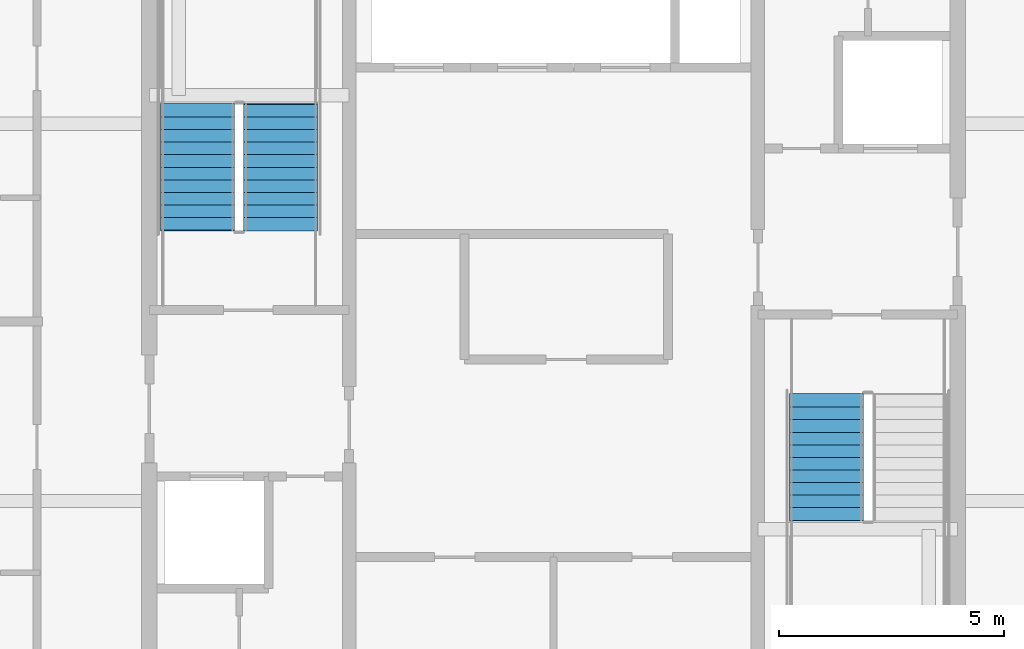
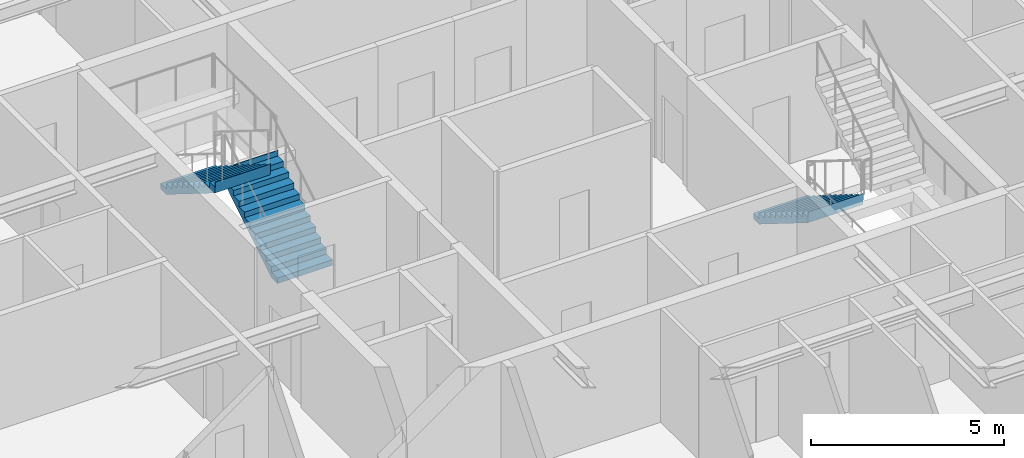
# One storey, part 31 of 37: 3 stair flights, 2 elements without a shape of their own.
"""IFC4 building model written with IfcOpenShell, lengths in metres."""

from ifc_helpers import new_model, si_unit, direction, frame, origin, place, context, subcontext, project, spatial, polygons, material, type_object, element, aggregate, save


model = new_model("IFC4")

# Units and contexts
model_context = context("Model", 3, precision=1e-05, world=origin(), true_north=direction((0.0, 1.0)))
body_context = subcontext(model_context, "Body", "Model", "MODEL_VIEW")
ifc_project = project(units=[si_unit("LENGTHUNIT", "METRE"), si_unit("AREAUNIT", "SQUARE_METRE"), si_unit("VOLUMEUNIT", "CUBIC_METRE"), si_unit("PLANEANGLEUNIT", "RADIAN"), si_unit("MASSUNIT", "GRAM", prefix="KILO")], contexts=[model_context])

# Site, building, storey
site_placement = place(None, origin())
site = spatial("IfcSite", under=ifc_project, at=site_placement, CompositionType="ELEMENT")
building_placement = place(site_placement, origin())
building = spatial("IfcBuilding", under=site, at=building_placement, Name="Serunith Strait Residences", CompositionType="ELEMENT")
storey_placement = place(building_placement, frame((0.0, 0.0, 275.89990234375)))
storey = spatial("IfcBuildingStorey", under=building, at=storey_placement, Name="L69", CompositionType="ELEMENT", Elevation=275.89990234375)

# Stair, stair flights
ifc_material = material(Name="Concrete C50/60", Category="concrete")
stair_type_1 = type_object("IfcStairType", Name="STR-CORE-1", PredefinedType="HALF_TURN_STAIR", material=ifc_material)
stair_1_placement = place(storey_placement, origin())
stair_1 = element("IfcStair", 1, at=stair_1_placement, inside=storey, type_object=stair_type_1, Name="L69 Protected Escape Stair ST-1", PredefinedType="HALF_TURN_STAIR")
stair_flight_type_1 = type_object("IfcStairFlightType", Name="FLT-CORE-1", PredefinedType="STRAIGHT", material=ifc_material)
stair_flight_1_placement = place(storey_placement, frame((26.324951171875, 27.030029296875, 0.0), z_axis=(0.0, 0.0, 1.0), x_axis=(0.0, 1.0, 0.0)))
stair_flight_1 = element("IfcStairFlight", 2, at=stair_flight_1_placement, type_object=stair_flight_type_1, Name="ST-1 flight 1", NumberOfRisers=11, NumberOfTreads=10, PredefinedType="STRAIGHT", RiserHeight=0.175, TreadLength=0.28, context=body_context, shape_type="Tessellation", body=[
    polygons([(-0.02001953125, -0.824951171875, 0.0), (-0.02001953125, -0.824951171875, 0.175048828125), (0.280029296875, -0.824951171875, 0.175048828125), (0.280029296875, -0.824951171875, 0.35009765625), (0.56005859375, -0.824951171875, 0.35009765625), (0.56005859375, -0.824951171875, 0.52490234375), (0.840087890625, -0.824951171875, 0.52490234375), (0.840087890625, -0.824951171875, 0.699951171875), (1.1201171875, -0.824951171875, 0.699951171875), (1.1201171875, -0.824951171875, 0.875), (1.39990234375, -0.824951171875, 0.875), (1.39990234375, -0.824951171875, 1.050048828125), (1.679931640625, -0.824951171875, 1.050048828125), (1.679931640625, -0.824951171875, 1.22509765625), (1.9599609375, -0.824951171875, 1.22509765625), (1.9599609375, -0.824951171875, 1.39990234375), (2.239990234375, -0.824951171875, 1.39990234375), (2.239990234375, -0.824951171875, 1.574951171875), (2.52001953125, -0.824951171875, 1.574951171875), (2.52001953125, -0.824951171875, 1.75), (2.800048828125, -0.824951171875, 1.75), (2.800048828125, -0.824951171875, 1.925048828125), (2.820068359375, -0.824951171875, 1.925048828125), (2.820068359375, -0.824951171875, 1.864990234375), (2.800048828125, -0.824951171875, 1.5732421875), (0.28271484375, -0.824951171875, 0.0), (-0.02001953125, -0.41259765625, 0.0), (-0.02001953125, -0.41259765625, 0.175048828125), (0.280029296875, -0.41259765625, 0.175048828125), (0.280029296875, -0.41259765625, 0.35009765625), (0.56005859375, -0.41259765625, 0.35009765625), (0.56005859375, -0.41259765625, 0.52490234375), (0.840087890625, -0.41259765625, 0.52490234375), (0.840087890625, -0.41259765625, 0.699951171875), (1.1201171875, -0.41259765625, 0.699951171875), (1.1201171875, -0.41259765625, 0.875), (1.39990234375, -0.41259765625, 0.875), (1.39990234375, -0.41259765625, 1.050048828125), (1.679931640625, -0.41259765625, 1.050048828125), (1.679931640625, -0.41259765625, 1.22509765625), (1.9599609375, -0.41259765625, 1.22509765625), (1.9599609375, -0.41259765625, 1.39990234375), (2.239990234375, -0.41259765625, 1.39990234375), (2.239990234375, -0.41259765625, 1.574951171875), (2.52001953125, -0.41259765625, 1.574951171875), (2.52001953125, -0.41259765625, 1.75), (2.800048828125, -0.41259765625, 1.75), (2.800048828125, -0.41259765625, 1.925048828125), (2.820068359375, -0.41259765625, 1.925048828125), (2.820068359375, -0.41259765625, 1.864990234375), (2.800048828125, -0.41259765625, 1.5732421875), (0.28271484375, -0.41259765625, 0.0), (-0.02001953125, 0.0, 0.0), (-0.02001953125, 0.0, 0.175048828125), (0.280029296875, 0.0, 0.175048828125), (0.280029296875, 0.0, 0.35009765625), (0.56005859375, 0.0, 0.35009765625), (0.56005859375, 0.0, 0.52490234375), (0.840087890625, 0.0, 0.52490234375), (0.840087890625, 0.0, 0.699951171875), (1.1201171875, 0.0, 0.699951171875), (1.1201171875, 0.0, 0.875), (1.39990234375, 0.0, 0.875), (1.39990234375, 0.0, 1.050048828125), (1.679931640625, 0.0, 1.050048828125), (1.679931640625, 0.0, 1.22509765625), (1.9599609375, 0.0, 1.22509765625), (1.9599609375, 0.0, 1.39990234375), (2.239990234375, 0.0, 1.39990234375), (2.239990234375, 0.0, 1.574951171875), (2.52001953125, 0.0, 1.574951171875), (2.52001953125, 0.0, 1.75), (2.800048828125, 0.0, 1.75), (2.800048828125, 0.0, 1.925048828125), (2.820068359375, 0.0, 1.925048828125), (2.820068359375, 0.0, 1.864990234375), (2.800048828125, 0.0, 1.5732421875), (0.28271484375, 0.0, 0.0), (-0.02001953125, 0.41259765625, 0.0), (-0.02001953125, 0.41259765625, 0.175048828125), (0.280029296875, 0.41259765625, 0.175048828125), (0.280029296875, 0.41259765625, 0.35009765625), (0.56005859375, 0.41259765625, 0.35009765625), (0.56005859375, 0.41259765625, 0.52490234375), (0.840087890625, 0.41259765625, 0.52490234375), (0.840087890625, 0.41259765625, 0.699951171875), (1.1201171875, 0.41259765625, 0.699951171875), (1.1201171875, 0.41259765625, 0.875), (1.39990234375, 0.41259765625, 0.875), (1.39990234375, 0.41259765625, 1.050048828125), (1.679931640625, 0.41259765625, 1.050048828125), (1.679931640625, 0.41259765625, 1.22509765625), (1.9599609375, 0.41259765625, 1.22509765625), (1.9599609375, 0.41259765625, 1.39990234375), (2.239990234375, 0.41259765625, 1.39990234375), (2.239990234375, 0.41259765625, 1.574951171875), (2.52001953125, 0.41259765625, 1.574951171875), (2.52001953125, 0.41259765625, 1.75), (2.800048828125, 0.41259765625, 1.75), (2.800048828125, 0.41259765625, 1.925048828125), (2.820068359375, 0.41259765625, 1.925048828125), (2.820068359375, 0.41259765625, 1.864990234375), (2.800048828125, 0.41259765625, 1.5732421875), (0.28271484375, 0.41259765625, 0.0), (-0.02001953125, 0.824951171875, 0.0), (-0.02001953125, 0.824951171875, 0.175048828125), (0.280029296875, 0.824951171875, 0.175048828125), (0.280029296875, 0.824951171875, 0.35009765625), (0.56005859375, 0.824951171875, 0.35009765625), (0.56005859375, 0.824951171875, 0.52490234375), (0.840087890625, 0.824951171875, 0.52490234375), (0.840087890625, 0.824951171875, 0.699951171875), (1.1201171875, 0.824951171875, 0.699951171875), (1.1201171875, 0.824951171875, 0.875), (1.39990234375, 0.824951171875, 0.875), (1.39990234375, 0.824951171875, 1.050048828125), (1.679931640625, 0.824951171875, 1.050048828125), (1.679931640625, 0.824951171875, 1.22509765625), (1.9599609375, 0.824951171875, 1.22509765625), (1.9599609375, 0.824951171875, 1.39990234375), (2.239990234375, 0.824951171875, 1.39990234375), (2.239990234375, 0.824951171875, 1.574951171875), (2.52001953125, 0.824951171875, 1.574951171875), (2.52001953125, 0.824951171875, 1.75), (2.800048828125, 0.824951171875, 1.75), (2.800048828125, 0.824951171875, 1.925048828125), (2.820068359375, 0.824951171875, 1.925048828125), (2.820068359375, 0.824951171875, 1.864990234375), (2.800048828125, 0.824951171875, 1.5732421875), (0.28271484375, 0.824951171875, 0.0)], [[[1, 2, 28, 27]], [[2, 3, 29, 28]], [[3, 4, 30, 29]], [[4, 5, 31, 30]], [[5, 6, 32, 31]], [[6, 7, 33, 32]], [[7, 8, 34, 33]], [[8, 9, 35, 34]], [[9, 10, 36, 35]], [[10, 11, 37, 36]], [[11, 12, 38, 37]], [[12, 13, 39, 38]], [[13, 14, 40, 39]], [[14, 15, 41, 40]], [[15, 16, 42, 41]], [[16, 17, 43, 42]], [[17, 18, 44, 43]], [[18, 19, 45, 44]], [[19, 20, 46, 45]], [[20, 21, 47, 46]], [[21, 22, 48, 47]], [[22, 23, 49, 48]], [[23, 24, 50, 49]], [[24, 25, 51, 50]], [[25, 26, 52, 51]], [[26, 1, 27, 52]], [[27, 28, 54, 53]], [[28, 29, 55, 54]], [[29, 30, 56, 55]], [[30, 31, 57, 56]], [[31, 32, 58, 57]], [[32, 33, 59, 58]], [[33, 34, 60, 59]], [[34, 35, 61, 60]], [[35, 36, 62, 61]], [[36, 37, 63, 62]], [[37, 38, 64, 63]], [[38, 39, 65, 64]], [[39, 40, 66, 65]], [[40, 41, 67, 66]], [[41, 42, 68, 67]], [[42, 43, 69, 68]], [[43, 44, 70, 69]], [[44, 45, 71, 70]], [[45, 46, 72, 71]], [[46, 47, 73, 72]], [[47, 48, 74, 73]], [[48, 49, 75, 74]], [[49, 50, 76, 75]], [[50, 51, 77, 76]], [[51, 52, 78, 77]], [[52, 27, 53, 78]], [[53, 54, 80, 79]], [[54, 55, 81, 80]], [[55, 56, 82, 81]], [[56, 57, 83, 82]], [[57, 58, 84, 83]], [[58, 59, 85, 84]], [[59, 60, 86, 85]], [[60, 61, 87, 86]], [[61, 62, 88, 87]], [[62, 63, 89, 88]], [[63, 64, 90, 89]], [[64, 65, 91, 90]], [[65, 66, 92, 91]], [[66, 67, 93, 92]], [[67, 68, 94, 93]], [[68, 69, 95, 94]], [[69, 70, 96, 95]], [[70, 71, 97, 96]], [[71, 72, 98, 97]], [[72, 73, 99, 98]], [[73, 74, 100, 99]], [[74, 75, 101, 100]], [[75, 76, 102, 101]], [[76, 77, 103, 102]], [[77, 78, 104, 103]], [[78, 53, 79, 104]], [[79, 80, 106, 105]], [[80, 81, 107, 106]], [[81, 82, 108, 107]], [[82, 83, 109, 108]], [[83, 84, 110, 109]], [[84, 85, 111, 110]], [[85, 86, 112, 111]], [[86, 87, 113, 112]], [[87, 88, 114, 113]], [[88, 89, 115, 114]], [[89, 90, 116, 115]], [[90, 91, 117, 116]], [[91, 92, 118, 117]], [[92, 93, 119, 118]], [[93, 94, 120, 119]], [[94, 95, 121, 120]], [[95, 96, 122, 121]], [[96, 97, 123, 122]], [[97, 98, 124, 123]], [[98, 99, 125, 124]], [[99, 100, 126, 125]], [[100, 101, 127, 126]], [[101, 102, 128, 127]], [[102, 103, 129, 128]], [[103, 104, 130, 129]], [[104, 79, 105, 130]], [[26, 25, 24, 23, 22, 21, 20, 19, 18, 17, 16, 15, 14, 13, 12, 11, 10, 9, 8, 7, 6, 5, 4, 3, 2, 1]], [[105, 106, 107, 108, 109, 110, 111, 112, 113, 114, 115, 116, 117, 118, 119, 120, 121, 122, 123, 124, 125, 126, 127, 128, 129, 130]]], closed=True),
])
stair_flight_2_placement = place(storey_placement, frame((24.47509765625, 29.830078125, 1.925048828125), z_axis=(0.0, 0.0, 1.0), x_axis=(0.0, -1.0, 0.0)))
stair_flight_2 = element("IfcStairFlight", 3, at=stair_flight_2_placement, type_object=stair_flight_type_1, Name="ST-1 flight 2", NumberOfRisers=11, NumberOfTreads=10, PredefinedType="STRAIGHT", RiserHeight=0.175, TreadLength=0.28, context=body_context, shape_type="Tessellation", body=[
    polygons([(-0.02001953125, -0.824951171875, 0.0), (-0.02001953125, -0.824951171875, 0.175048828125), (0.280029296875, -0.824951171875, 0.175048828125), (0.280029296875, -0.824951171875, 0.35009765625), (0.56005859375, -0.824951171875, 0.35009765625), (0.56005859375, -0.824951171875, 0.52490234375), (0.840087890625, -0.824951171875, 0.52490234375), (0.840087890625, -0.824951171875, 0.699951171875), (1.1201171875, -0.824951171875, 0.699951171875), (1.1201171875, -0.824951171875, 0.875), (1.39990234375, -0.824951171875, 0.875), (1.39990234375, -0.824951171875, 1.050048828125), (1.679931640625, -0.824951171875, 1.050048828125), (1.679931640625, -0.824951171875, 1.22509765625), (1.9599609375, -0.824951171875, 1.22509765625), (1.9599609375, -0.824951171875, 1.39990234375), (2.239990234375, -0.824951171875, 1.39990234375), (2.239990234375, -0.824951171875, 1.574951171875), (2.52001953125, -0.824951171875, 1.574951171875), (2.52001953125, -0.824951171875, 1.75), (2.800048828125, -0.824951171875, 1.75), (2.800048828125, -0.824951171875, 1.925048828125), (2.820068359375, -0.824951171875, 1.925048828125), (2.820068359375, -0.824951171875, 1.864990234375), (2.800048828125, -0.824951171875, 1.5732421875), (0.28271484375, -0.824951171875, 0.0), (-0.02001953125, -0.41259765625, 0.0), (-0.02001953125, -0.41259765625, 0.175048828125), (0.280029296875, -0.41259765625, 0.175048828125), (0.280029296875, -0.41259765625, 0.35009765625), (0.56005859375, -0.41259765625, 0.35009765625), (0.56005859375, -0.41259765625, 0.52490234375), (0.840087890625, -0.41259765625, 0.52490234375), (0.840087890625, -0.41259765625, 0.699951171875), (1.1201171875, -0.41259765625, 0.699951171875), (1.1201171875, -0.41259765625, 0.875), (1.39990234375, -0.41259765625, 0.875), (1.39990234375, -0.41259765625, 1.050048828125), (1.679931640625, -0.41259765625, 1.050048828125), (1.679931640625, -0.41259765625, 1.22509765625), (1.9599609375, -0.41259765625, 1.22509765625), (1.9599609375, -0.41259765625, 1.39990234375), (2.239990234375, -0.41259765625, 1.39990234375), (2.239990234375, -0.41259765625, 1.574951171875), (2.52001953125, -0.41259765625, 1.574951171875), (2.52001953125, -0.41259765625, 1.75), (2.800048828125, -0.41259765625, 1.75), (2.800048828125, -0.41259765625, 1.925048828125), (2.820068359375, -0.41259765625, 1.925048828125), (2.820068359375, -0.41259765625, 1.864990234375), (2.800048828125, -0.41259765625, 1.5732421875), (0.28271484375, -0.41259765625, 0.0), (-0.02001953125, 0.0, 0.0), (-0.02001953125, 0.0, 0.175048828125), (0.280029296875, 0.0, 0.175048828125), (0.280029296875, 0.0, 0.35009765625), (0.56005859375, 0.0, 0.35009765625), (0.56005859375, 0.0, 0.52490234375), (0.840087890625, 0.0, 0.52490234375), (0.840087890625, 0.0, 0.699951171875), (1.1201171875, 0.0, 0.699951171875), (1.1201171875, 0.0, 0.875), (1.39990234375, 0.0, 0.875), (1.39990234375, 0.0, 1.050048828125), (1.679931640625, 0.0, 1.050048828125), (1.679931640625, 0.0, 1.22509765625), (1.9599609375, 0.0, 1.22509765625), (1.9599609375, 0.0, 1.39990234375), (2.239990234375, 0.0, 1.39990234375), (2.239990234375, 0.0, 1.574951171875), (2.52001953125, 0.0, 1.574951171875), (2.52001953125, 0.0, 1.75), (2.800048828125, 0.0, 1.75), (2.800048828125, 0.0, 1.925048828125), (2.820068359375, 0.0, 1.925048828125), (2.820068359375, 0.0, 1.864990234375), (2.800048828125, 0.0, 1.5732421875), (0.28271484375, 0.0, 0.0), (-0.02001953125, 0.41259765625, 0.0), (-0.02001953125, 0.41259765625, 0.175048828125), (0.280029296875, 0.41259765625, 0.175048828125), (0.280029296875, 0.41259765625, 0.35009765625), (0.56005859375, 0.41259765625, 0.35009765625), (0.56005859375, 0.41259765625, 0.52490234375), (0.840087890625, 0.41259765625, 0.52490234375), (0.840087890625, 0.41259765625, 0.699951171875), (1.1201171875, 0.41259765625, 0.699951171875), (1.1201171875, 0.41259765625, 0.875), (1.39990234375, 0.41259765625, 0.875), (1.39990234375, 0.41259765625, 1.050048828125), (1.679931640625, 0.41259765625, 1.050048828125), (1.679931640625, 0.41259765625, 1.22509765625), (1.9599609375, 0.41259765625, 1.22509765625), (1.9599609375, 0.41259765625, 1.39990234375), (2.239990234375, 0.41259765625, 1.39990234375), (2.239990234375, 0.41259765625, 1.574951171875), (2.52001953125, 0.41259765625, 1.574951171875), (2.52001953125, 0.41259765625, 1.75), (2.800048828125, 0.41259765625, 1.75), (2.800048828125, 0.41259765625, 1.925048828125), (2.820068359375, 0.41259765625, 1.925048828125), (2.820068359375, 0.41259765625, 1.864990234375), (2.800048828125, 0.41259765625, 1.5732421875), (0.28271484375, 0.41259765625, 0.0), (-0.02001953125, 0.824951171875, 0.0), (-0.02001953125, 0.824951171875, 0.175048828125), (0.280029296875, 0.824951171875, 0.175048828125), (0.280029296875, 0.824951171875, 0.35009765625), (0.56005859375, 0.824951171875, 0.35009765625), (0.56005859375, 0.824951171875, 0.52490234375), (0.840087890625, 0.824951171875, 0.52490234375), (0.840087890625, 0.824951171875, 0.699951171875), (1.1201171875, 0.824951171875, 0.699951171875), (1.1201171875, 0.824951171875, 0.875), (1.39990234375, 0.824951171875, 0.875), (1.39990234375, 0.824951171875, 1.050048828125), (1.679931640625, 0.824951171875, 1.050048828125), (1.679931640625, 0.824951171875, 1.22509765625), (1.9599609375, 0.824951171875, 1.22509765625), (1.9599609375, 0.824951171875, 1.39990234375), (2.239990234375, 0.824951171875, 1.39990234375), (2.239990234375, 0.824951171875, 1.574951171875), (2.52001953125, 0.824951171875, 1.574951171875), (2.52001953125, 0.824951171875, 1.75), (2.800048828125, 0.824951171875, 1.75), (2.800048828125, 0.824951171875, 1.925048828125), (2.820068359375, 0.824951171875, 1.925048828125), (2.820068359375, 0.824951171875, 1.864990234375), (2.800048828125, 0.824951171875, 1.5732421875), (0.28271484375, 0.824951171875, 0.0)], [[[1, 2, 28, 27]], [[2, 3, 29, 28]], [[3, 4, 30, 29]], [[4, 5, 31, 30]], [[5, 6, 32, 31]], [[6, 7, 33, 32]], [[7, 8, 34, 33]], [[8, 9, 35, 34]], [[9, 10, 36, 35]], [[10, 11, 37, 36]], [[11, 12, 38, 37]], [[12, 13, 39, 38]], [[13, 14, 40, 39]], [[14, 15, 41, 40]], [[15, 16, 42, 41]], [[16, 17, 43, 42]], [[17, 18, 44, 43]], [[18, 19, 45, 44]], [[19, 20, 46, 45]], [[20, 21, 47, 46]], [[21, 22, 48, 47]], [[22, 23, 49, 48]], [[23, 24, 50, 49]], [[24, 25, 51, 50]], [[25, 26, 52, 51]], [[26, 1, 27, 52]], [[27, 28, 54, 53]], [[28, 29, 55, 54]], [[29, 30, 56, 55]], [[30, 31, 57, 56]], [[31, 32, 58, 57]], [[32, 33, 59, 58]], [[33, 34, 60, 59]], [[34, 35, 61, 60]], [[35, 36, 62, 61]], [[36, 37, 63, 62]], [[37, 38, 64, 63]], [[38, 39, 65, 64]], [[39, 40, 66, 65]], [[40, 41, 67, 66]], [[41, 42, 68, 67]], [[42, 43, 69, 68]], [[43, 44, 70, 69]], [[44, 45, 71, 70]], [[45, 46, 72, 71]], [[46, 47, 73, 72]], [[47, 48, 74, 73]], [[48, 49, 75, 74]], [[49, 50, 76, 75]], [[50, 51, 77, 76]], [[51, 52, 78, 77]], [[52, 27, 53, 78]], [[53, 54, 80, 79]], [[54, 55, 81, 80]], [[55, 56, 82, 81]], [[56, 57, 83, 82]], [[57, 58, 84, 83]], [[58, 59, 85, 84]], [[59, 60, 86, 85]], [[60, 61, 87, 86]], [[61, 62, 88, 87]], [[62, 63, 89, 88]], [[63, 64, 90, 89]], [[64, 65, 91, 90]], [[65, 66, 92, 91]], [[66, 67, 93, 92]], [[67, 68, 94, 93]], [[68, 69, 95, 94]], [[69, 70, 96, 95]], [[70, 71, 97, 96]], [[71, 72, 98, 97]], [[72, 73, 99, 98]], [[73, 74, 100, 99]], [[74, 75, 101, 100]], [[75, 76, 102, 101]], [[76, 77, 103, 102]], [[77, 78, 104, 103]], [[78, 53, 79, 104]], [[79, 80, 106, 105]], [[80, 81, 107, 106]], [[81, 82, 108, 107]], [[82, 83, 109, 108]], [[83, 84, 110, 109]], [[84, 85, 111, 110]], [[85, 86, 112, 111]], [[86, 87, 113, 112]], [[87, 88, 114, 113]], [[88, 89, 115, 114]], [[89, 90, 116, 115]], [[90, 91, 117, 116]], [[91, 92, 118, 117]], [[92, 93, 119, 118]], [[93, 94, 120, 119]], [[94, 95, 121, 120]], [[95, 96, 122, 121]], [[96, 97, 123, 122]], [[97, 98, 124, 123]], [[98, 99, 125, 124]], [[99, 100, 126, 125]], [[100, 101, 127, 126]], [[101, 102, 128, 127]], [[102, 103, 129, 128]], [[103, 104, 130, 129]], [[104, 79, 105, 130]], [[26, 25, 24, 23, 22, 21, 20, 19, 18, 17, 16, 15, 14, 13, 12, 11, 10, 9, 8, 7, 6, 5, 4, 3, 2, 1]], [[105, 106, 107, 108, 109, 110, 111, 112, 113, 114, 115, 116, 117, 118, 119, 120, 121, 122, 123, 124, 125, 126, 127, 128, 129, 130]]], closed=True),
])
aggregate(stair_1, [stair_flight_1, stair_flight_2])

# Stair, stair flight
stair_type_2 = type_object("IfcStairType", Name="STR-CORE-2", PredefinedType="HALF_TURN_STAIR", material=ifc_material)
stair_2_placement = place(storey_placement, origin())
stair_2 = element("IfcStair", 4, at=stair_2_placement, inside=storey, type_object=stair_type_2, Name="L69 Protected Escape Stair ST-2", PredefinedType="HALF_TURN_STAIR")
stair_flight_type_2 = type_object("IfcStairFlightType", Name="FLT-CORE-2", PredefinedType="STRAIGHT", material=ifc_material)
stair_flight_3_placement = place(storey_placement, frame((38.47509765625, 23.3701171875, 0.0), z_axis=(0.0, 0.0, 1.0), x_axis=(0.0, -1.0, 0.0)))
stair_flight_3 = element("IfcStairFlight", 5, at=stair_flight_3_placement, type_object=stair_flight_type_2, Name="ST-2 flight 1", NumberOfRisers=11, NumberOfTreads=10, PredefinedType="STRAIGHT", RiserHeight=0.175, TreadLength=0.28, context=body_context, shape_type="Tessellation", body=[
    polygons([(-0.02001953125, -0.824951171875, 0.0), (-0.02001953125, -0.824951171875, 0.175048828125), (0.280029296875, -0.824951171875, 0.175048828125), (0.280029296875, -0.824951171875, 0.35009765625), (0.56005859375, -0.824951171875, 0.35009765625), (0.56005859375, -0.824951171875, 0.52490234375), (0.840087890625, -0.824951171875, 0.52490234375), (0.840087890625, -0.824951171875, 0.699951171875), (1.1201171875, -0.824951171875, 0.699951171875), (1.1201171875, -0.824951171875, 0.875), (1.39990234375, -0.824951171875, 0.875), (1.39990234375, -0.824951171875, 1.050048828125), (1.679931640625, -0.824951171875, 1.050048828125), (1.679931640625, -0.824951171875, 1.22509765625), (1.9599609375, -0.824951171875, 1.22509765625), (1.9599609375, -0.824951171875, 1.39990234375), (2.239990234375, -0.824951171875, 1.39990234375), (2.239990234375, -0.824951171875, 1.574951171875), (2.52001953125, -0.824951171875, 1.574951171875), (2.52001953125, -0.824951171875, 1.75), (2.800048828125, -0.824951171875, 1.75), (2.800048828125, -0.824951171875, 1.925048828125), (2.820068359375, -0.824951171875, 1.925048828125), (2.820068359375, -0.824951171875, 1.864990234375), (2.800048828125, -0.824951171875, 1.5732421875), (0.28271484375, -0.824951171875, 0.0), (-0.02001953125, -0.41259765625, 0.0), (-0.02001953125, -0.41259765625, 0.175048828125), (0.280029296875, -0.41259765625, 0.175048828125), (0.280029296875, -0.41259765625, 0.35009765625), (0.56005859375, -0.41259765625, 0.35009765625), (0.56005859375, -0.41259765625, 0.52490234375), (0.840087890625, -0.41259765625, 0.52490234375), (0.840087890625, -0.41259765625, 0.699951171875), (1.1201171875, -0.41259765625, 0.699951171875), (1.1201171875, -0.41259765625, 0.875), (1.39990234375, -0.41259765625, 0.875), (1.39990234375, -0.41259765625, 1.050048828125), (1.679931640625, -0.41259765625, 1.050048828125), (1.679931640625, -0.41259765625, 1.22509765625), (1.9599609375, -0.41259765625, 1.22509765625), (1.9599609375, -0.41259765625, 1.39990234375), (2.239990234375, -0.41259765625, 1.39990234375), (2.239990234375, -0.41259765625, 1.574951171875), (2.52001953125, -0.41259765625, 1.574951171875), (2.52001953125, -0.41259765625, 1.75), (2.800048828125, -0.41259765625, 1.75), (2.800048828125, -0.41259765625, 1.925048828125), (2.820068359375, -0.41259765625, 1.925048828125), (2.820068359375, -0.41259765625, 1.864990234375), (2.800048828125, -0.41259765625, 1.5732421875), (0.28271484375, -0.41259765625, 0.0), (-0.02001953125, 0.0, 0.0), (-0.02001953125, 0.0, 0.175048828125), (0.280029296875, 0.0, 0.175048828125), (0.280029296875, 0.0, 0.35009765625), (0.56005859375, 0.0, 0.35009765625), (0.56005859375, 0.0, 0.52490234375), (0.840087890625, 0.0, 0.52490234375), (0.840087890625, 0.0, 0.699951171875), (1.1201171875, 0.0, 0.699951171875), (1.1201171875, 0.0, 0.875), (1.39990234375, 0.0, 0.875), (1.39990234375, 0.0, 1.050048828125), (1.679931640625, 0.0, 1.050048828125), (1.679931640625, 0.0, 1.22509765625), (1.9599609375, 0.0, 1.22509765625), (1.9599609375, 0.0, 1.39990234375), (2.239990234375, 0.0, 1.39990234375), (2.239990234375, 0.0, 1.574951171875), (2.52001953125, 0.0, 1.574951171875), (2.52001953125, 0.0, 1.75), (2.800048828125, 0.0, 1.75), (2.800048828125, 0.0, 1.925048828125), (2.820068359375, 0.0, 1.925048828125), (2.820068359375, 0.0, 1.864990234375), (2.800048828125, 0.0, 1.5732421875), (0.28271484375, 0.0, 0.0), (-0.02001953125, 0.41259765625, 0.0), (-0.02001953125, 0.41259765625, 0.175048828125), (0.280029296875, 0.41259765625, 0.175048828125), (0.280029296875, 0.41259765625, 0.35009765625), (0.56005859375, 0.41259765625, 0.35009765625), (0.56005859375, 0.41259765625, 0.52490234375), (0.840087890625, 0.41259765625, 0.52490234375), (0.840087890625, 0.41259765625, 0.699951171875), (1.1201171875, 0.41259765625, 0.699951171875), (1.1201171875, 0.41259765625, 0.875), (1.39990234375, 0.41259765625, 0.875), (1.39990234375, 0.41259765625, 1.050048828125), (1.679931640625, 0.41259765625, 1.050048828125), (1.679931640625, 0.41259765625, 1.22509765625), (1.9599609375, 0.41259765625, 1.22509765625), (1.9599609375, 0.41259765625, 1.39990234375), (2.239990234375, 0.41259765625, 1.39990234375), (2.239990234375, 0.41259765625, 1.574951171875), (2.52001953125, 0.41259765625, 1.574951171875), (2.52001953125, 0.41259765625, 1.75), (2.800048828125, 0.41259765625, 1.75), (2.800048828125, 0.41259765625, 1.925048828125), (2.820068359375, 0.41259765625, 1.925048828125), (2.820068359375, 0.41259765625, 1.864990234375), (2.800048828125, 0.41259765625, 1.5732421875), (0.28271484375, 0.41259765625, 0.0), (-0.02001953125, 0.824951171875, 0.0), (-0.02001953125, 0.824951171875, 0.175048828125), (0.280029296875, 0.824951171875, 0.175048828125), (0.280029296875, 0.824951171875, 0.35009765625), (0.56005859375, 0.824951171875, 0.35009765625), (0.56005859375, 0.824951171875, 0.52490234375), (0.840087890625, 0.824951171875, 0.52490234375), (0.840087890625, 0.824951171875, 0.699951171875), (1.1201171875, 0.824951171875, 0.699951171875), (1.1201171875, 0.824951171875, 0.875), (1.39990234375, 0.824951171875, 0.875), (1.39990234375, 0.824951171875, 1.050048828125), (1.679931640625, 0.824951171875, 1.050048828125), (1.679931640625, 0.824951171875, 1.22509765625), (1.9599609375, 0.824951171875, 1.22509765625), (1.9599609375, 0.824951171875, 1.39990234375), (2.239990234375, 0.824951171875, 1.39990234375), (2.239990234375, 0.824951171875, 1.574951171875), (2.52001953125, 0.824951171875, 1.574951171875), (2.52001953125, 0.824951171875, 1.75), (2.800048828125, 0.824951171875, 1.75), (2.800048828125, 0.824951171875, 1.925048828125), (2.820068359375, 0.824951171875, 1.925048828125), (2.820068359375, 0.824951171875, 1.864990234375), (2.800048828125, 0.824951171875, 1.5732421875), (0.28271484375, 0.824951171875, 0.0)], [[[1, 2, 28, 27]], [[2, 3, 29, 28]], [[3, 4, 30, 29]], [[4, 5, 31, 30]], [[5, 6, 32, 31]], [[6, 7, 33, 32]], [[7, 8, 34, 33]], [[8, 9, 35, 34]], [[9, 10, 36, 35]], [[10, 11, 37, 36]], [[11, 12, 38, 37]], [[12, 13, 39, 38]], [[13, 14, 40, 39]], [[14, 15, 41, 40]], [[15, 16, 42, 41]], [[16, 17, 43, 42]], [[17, 18, 44, 43]], [[18, 19, 45, 44]], [[19, 20, 46, 45]], [[20, 21, 47, 46]], [[21, 22, 48, 47]], [[22, 23, 49, 48]], [[23, 24, 50, 49]], [[24, 25, 51, 50]], [[25, 26, 52, 51]], [[26, 1, 27, 52]], [[27, 28, 54, 53]], [[28, 29, 55, 54]], [[29, 30, 56, 55]], [[30, 31, 57, 56]], [[31, 32, 58, 57]], [[32, 33, 59, 58]], [[33, 34, 60, 59]], [[34, 35, 61, 60]], [[35, 36, 62, 61]], [[36, 37, 63, 62]], [[37, 38, 64, 63]], [[38, 39, 65, 64]], [[39, 40, 66, 65]], [[40, 41, 67, 66]], [[41, 42, 68, 67]], [[42, 43, 69, 68]], [[43, 44, 70, 69]], [[44, 45, 71, 70]], [[45, 46, 72, 71]], [[46, 47, 73, 72]], [[47, 48, 74, 73]], [[48, 49, 75, 74]], [[49, 50, 76, 75]], [[50, 51, 77, 76]], [[51, 52, 78, 77]], [[52, 27, 53, 78]], [[53, 54, 80, 79]], [[54, 55, 81, 80]], [[55, 56, 82, 81]], [[56, 57, 83, 82]], [[57, 58, 84, 83]], [[58, 59, 85, 84]], [[59, 60, 86, 85]], [[60, 61, 87, 86]], [[61, 62, 88, 87]], [[62, 63, 89, 88]], [[63, 64, 90, 89]], [[64, 65, 91, 90]], [[65, 66, 92, 91]], [[66, 67, 93, 92]], [[67, 68, 94, 93]], [[68, 69, 95, 94]], [[69, 70, 96, 95]], [[70, 71, 97, 96]], [[71, 72, 98, 97]], [[72, 73, 99, 98]], [[73, 74, 100, 99]], [[74, 75, 101, 100]], [[75, 76, 102, 101]], [[76, 77, 103, 102]], [[77, 78, 104, 103]], [[78, 53, 79, 104]], [[79, 80, 106, 105]], [[80, 81, 107, 106]], [[81, 82, 108, 107]], [[82, 83, 109, 108]], [[83, 84, 110, 109]], [[84, 85, 111, 110]], [[85, 86, 112, 111]], [[86, 87, 113, 112]], [[87, 88, 114, 113]], [[88, 89, 115, 114]], [[89, 90, 116, 115]], [[90, 91, 117, 116]], [[91, 92, 118, 117]], [[92, 93, 119, 118]], [[93, 94, 120, 119]], [[94, 95, 121, 120]], [[95, 96, 122, 121]], [[96, 97, 123, 122]], [[97, 98, 124, 123]], [[98, 99, 125, 124]], [[99, 100, 126, 125]], [[100, 101, 127, 126]], [[101, 102, 128, 127]], [[102, 103, 129, 128]], [[103, 104, 130, 129]], [[104, 79, 105, 130]], [[26, 25, 24, 23, 22, 21, 20, 19, 18, 17, 16, 15, 14, 13, 12, 11, 10, 9, 8, 7, 6, 5, 4, 3, 2, 1]], [[105, 106, 107, 108, 109, 110, 111, 112, 113, 114, 115, 116, 117, 118, 119, 120, 121, 122, 123, 124, 125, 126, 127, 128, 129, 130]]], closed=True),
])
aggregate(stair_2, [stair_flight_3])

save(model, "model.ifc")
